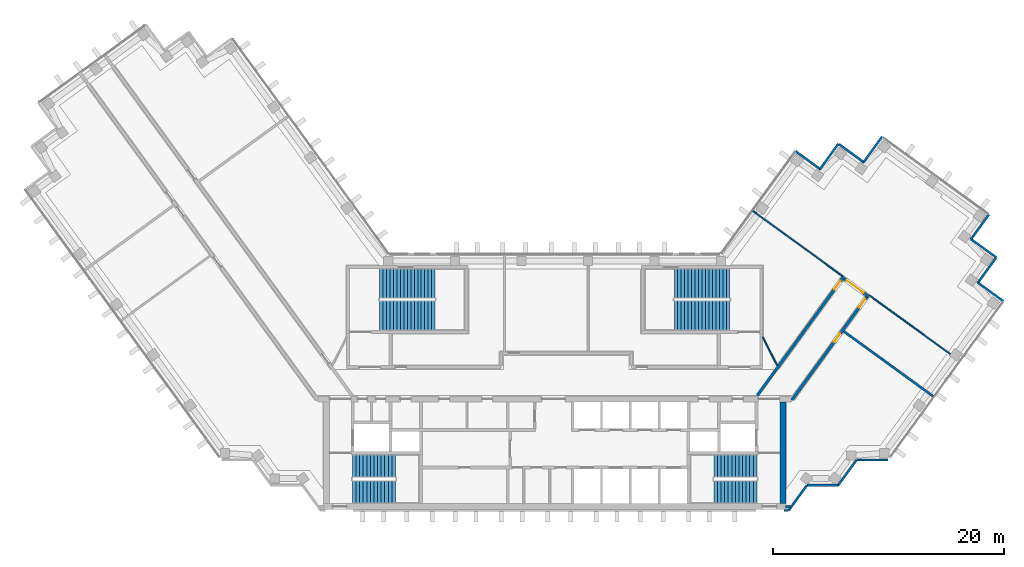
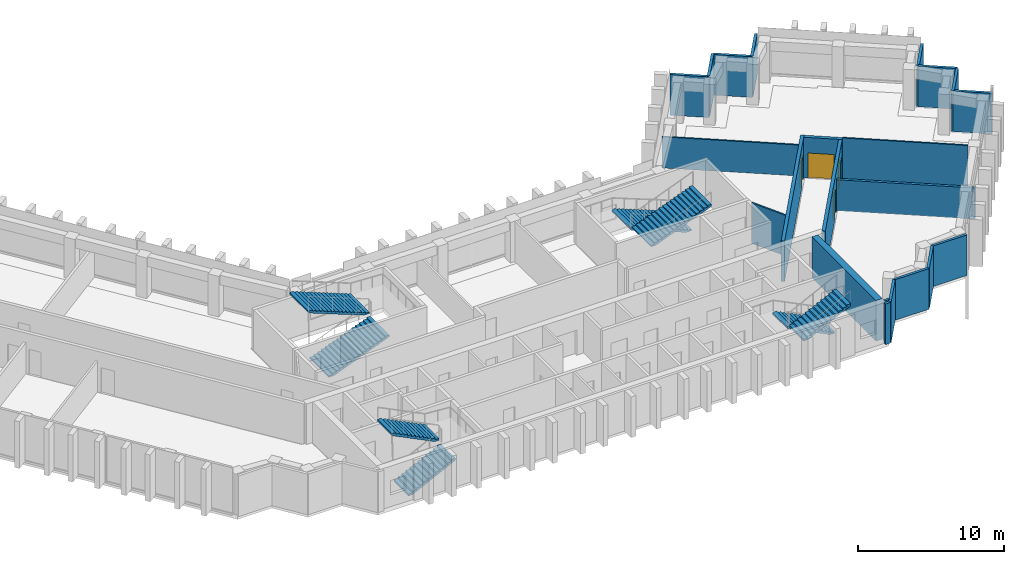
# One storey, part 7 of 9: 22 walls, 8 stair flights, 4 doors, 4 openings, 4 elements without a shape of their own.
"""IFC4 building model written with IfcOpenShell, lengths in metres."""

from ifc_helpers import new_model, si_unit, direction, frame, frame_2d, origin, place, context, subcontext, project, spatial, polyline, rectangle, outline, extrude, material, layer, layer_set, type_object, element, fill, aggregate, save


model = new_model("IFC4")

# Units and contexts
model_context = context("Model", 3, precision=1e-05, world=origin(), true_north=direction((0.0, 1.0)))
body_context = subcontext(model_context, "Body", "Model", "MODEL_VIEW")
ifc_project = project(units=[si_unit("LENGTHUNIT", "METRE"), si_unit("AREAUNIT", "SQUARE_METRE"), si_unit("VOLUMEUNIT", "CUBIC_METRE"), si_unit("PLANEANGLEUNIT", "RADIAN"), si_unit("MASSUNIT", "GRAM", prefix="KILO")], contexts=[model_context])

# Site, building, storey
site_placement = place(None, origin())
site = spatial("IfcSite", under=ifc_project, at=site_placement, CompositionType="ELEMENT")
building_placement = place(site_placement, origin())
building = spatial("IfcBuilding", under=site, at=building_placement, Name="Quipu Civic Tower", CompositionType="ELEMENT")
storey_placement = place(building_placement, frame((0.0, 0.0, 238.0)))
storey = spatial("IfcBuildingStorey", under=building, at=storey_placement, Name="L56", CompositionType="ELEMENT", Elevation=238.0)

# Walls
ifc_material_1 = material(Name="Fired clay blockwork", Category="masonry")
ifc_layer_1 = layer(ifc_material_1, 0.199951171875)
ifc_layer_set_1 = layer_set([ifc_layer_1], Name="Fired clay blockwork")
wall_type_1 = type_object("IfcWallType", Name="Blockwork wall 200", PredefinedType="SOLIDWALL", material=ifc_layer_set_1)
wall_1_placement = place(storey_placement, frame((32.734375, -1.18701171875, 0.0), z_axis=(0.0, 0.0, 1.0), x_axis=(-0.808994684961, 0.587815957341, 0.0)))
element("IfcWall", 1, at=wall_1_placement, inside=storey, type_object=wall_type_1, Name="Partition P08", PredefinedType="SOLIDWALL", context=body_context, shape_type="SweptSolid", body=[
    extrude(rectangle(XDim=9.55029296875, YDim=0.199951171875, at=frame_2d((4.775146484375, 0.0))), origin(), (0.0, 0.0, 1.0), 2.60009765625),
])
ifc_material_2 = material(Name="Concrete C70/85", Category="concrete")
ifc_layer_2 = layer(ifc_material_2, 0.5)
ifc_layer_set_2 = layer_set([ifc_layer_2], Name="Concrete C70/85")
wall_type_2 = type_object("IfcWallType", Name="Core wall 500", PredefinedType="SHEAR", material=ifc_layer_set_2)
wall_2_placement = place(storey_placement, frame((19.75, -10.5, 0.0), z_axis=(0.0, 0.0, 1.0), x_axis=(0.0, 1.0, 0.0)))
element("IfcWall", 2, at=wall_2_placement, inside=storey, type_object=wall_type_2, Name="Core wall", PredefinedType="SHEAR", context=body_context, shape_type="SweptSolid", body=[
    extrude(rectangle(XDim=8.800048828125, YDim=0.5, at=frame_2d((4.39990234375, 0.0))), origin(), (0.0, 0.0, 1.0), 3.39990234375),
])

# Wall, opening, door
ifc_material_3 = material(Name="Concrete C50/60", Category="concrete")
ifc_layer_3 = layer(ifc_material_3, 0.25)
ifc_layer_set_3 = layer_set([ifc_layer_3], Name="Concrete C50/60")
wall_type_3 = type_object("IfcWallType", Name="Corridor wall 250 concrete", PredefinedType="SOLIDWALL", material=ifc_layer_set_3)
wall_3_placement = place(storey_placement, frame((17.544921875, -1.124755859375, 0.0), z_axis=(0.0, 0.0, 1.0), x_axis=(0.587796810203, 0.809008596935, 0.0)))
wall_3 = element("IfcWall", 3, at=wall_3_placement, inside=storey, type_object=wall_type_3, Name="Corridor wall C02", PredefinedType="SOLIDWALL", context=body_context, shape_type="SweptSolid", body=[
    extrude(rectangle(XDim=12.703125, YDim=0.25, at=frame_2d((6.3515625, 0.0))), origin(), (0.0, 0.0, 1.0), 3.39990234375),
])
opening_1_placement = place(wall_3_placement, frame((11.32861328125, 0.0, 0.0)))
opening_1 = element("IfcOpeningElement", 4, at=opening_1_placement, cuts=wall_3, Name="Opening D001", PredefinedType="OPENING", context=body_context, shape_type="SweptSolid", body=[
    extrude(rectangle(XDim=0.89990234375, YDim=2.10009765625, at=frame_2d((0.449951171875, 1.050048828125))), frame((0.0, 0.135009765625, 0.0), z_axis=(0.0, -1.0, 0.0), x_axis=(1.0, 0.0, 0.0)), (0.0, 0.0, 1.0), 0.27001953125),
])
ifc_material_4 = material(Name="Fire rated timber door set with metal frame", Category="wood")
door_type_1 = type_object("IfcDoorType", Name="Single door 900 x 2100 FD60", OperationType="NOTDEFINED", PredefinedType="DOOR", material=ifc_material_4)
door_1_placement = place(opening_1_placement, origin())
door_1 = element("IfcDoor", 5, at=door_1_placement, inside=storey, type_object=door_type_1, Name="Door D001", OperationType="SINGLE_SWING_RIGHT", OverallHeight=2.10009765625, OverallWidth=0.89990234375, PredefinedType="DOOR", context=body_context, shape_type="SweptSolid", body=[
    extrude(rectangle(XDim=0.89990234375, YDim=2.10009765625, at=frame_2d((0.449951171875, 1.050048828125))), frame((0.0, 0.02490234375, 0.0), z_axis=(0.0, -1.0, 0.0), x_axis=(1.0, 0.0, 0.0)), (0.0, 0.0, 1.0), 0.050048828125),
])
fill(opening_1, door_1)

wall_4_placement = place(storey_placement, frame((25.039306640625, 8.9775390625, 0.0), z_axis=(0.0, 0.0, 1.0), x_axis=(0.809006914995, -0.587799125119, 0.0)))
wall_4 = element("IfcWall", 6, at=wall_4_placement, inside=storey, type_object=wall_type_3, Name="Corridor wall C03", PredefinedType="SOLIDWALL", context=body_context, shape_type="SweptSolid", body=[
    extrude(rectangle(XDim=2.64990234375, YDim=0.25, at=frame_2d((1.324951171875, 0.0))), origin(), (0.0, 0.0, 1.0), 3.39990234375),
])
opening_2_placement = place(wall_4_placement, frame((0.300537109375, 0.0, 0.0)))
opening_2 = element("IfcOpeningElement", 7, at=opening_2_placement, cuts=wall_4, Name="Opening D004", PredefinedType="OPENING", context=body_context, shape_type="SweptSolid", body=[
    extrude(rectangle(XDim=1.800048828125, YDim=2.10009765625, at=frame_2d((0.89990234375, 1.050048828125))), frame((0.0, 0.135009765625, 0.0), z_axis=(0.0, -1.0, 0.0), x_axis=(1.0, 0.0, 0.0)), (0.0, 0.0, 1.0), 0.27001953125),
])
ifc_material_5 = material(Name="Fire rated timber door set with metal frame", Category="wood")
door_type_2 = type_object("IfcDoorType", Name="Double door 1800 x 2100 FD60", OperationType="DOUBLE_DOOR_SINGLE_SWING", PredefinedType="DOOR", material=ifc_material_5)
door_2_placement = place(opening_2_placement, origin())
door_2 = element("IfcDoor", 8, at=door_2_placement, inside=storey, type_object=door_type_2, Name="Door D004", OperationType="DOUBLE_DOOR_SINGLE_SWING", OverallHeight=2.10009765625, OverallWidth=1.800048828125, PredefinedType="DOOR", context=body_context, shape_type="SweptSolid", body=[
    extrude(rectangle(XDim=1.800048828125, YDim=2.10009765625, at=frame_2d((0.89990234375, 1.050048828125))), frame((0.0, 0.02490234375, 0.0), z_axis=(0.0, -1.0, 0.0), x_axis=(1.0, 0.0, 0.0)), (0.0, 0.0, 1.0), 0.050048828125),
])
fill(opening_2, door_2)

# Wall, openings, doors
wall_5_placement = place(storey_placement, frame((27.008544921875, 7.392333984375, 0.0), z_axis=(0.0, 0.0, 1.0), x_axis=(-0.587776457057, -0.809023384414, 0.0)))
wall_5 = element("IfcWall", 9, at=wall_5_placement, inside=storey, type_object=wall_type_3, Name="Corridor wall C04", PredefinedType="SOLIDWALL", context=body_context, shape_type="SweptSolid", body=[
    extrude(rectangle(XDim=11.0205078125, YDim=0.25, at=frame_2d((5.51025390625, 0.0))), origin(), (0.0, 0.0, 1.0), 3.39990234375),
])
opening_3_placement = place(wall_5_placement, frame((3.904541015625, 0.0, 0.0)))
opening_3 = element("IfcOpeningElement", 10, at=opening_3_placement, cuts=wall_5, Name="Opening D002", PredefinedType="OPENING", context=body_context, shape_type="SweptSolid", body=[
    extrude(rectangle(XDim=0.89990234375, YDim=2.10009765625, at=frame_2d((0.449951171875, 1.050048828125))), frame((0.0, 0.135009765625, 0.0), z_axis=(0.0, -1.0, 0.0), x_axis=(1.0, 0.0, 0.0)), (0.0, 0.0, 1.0), 0.27001953125),
])
opening_4_placement = place(wall_5_placement, frame((0.224609375, 0.0, 0.0)))
opening_4 = element("IfcOpeningElement", 11, at=opening_4_placement, cuts=wall_5, Name="Opening D003", PredefinedType="OPENING", context=body_context, shape_type="SweptSolid", body=[
    extrude(rectangle(XDim=0.89990234375, YDim=2.10009765625, at=frame_2d((0.449951171875, 1.050048828125))), frame((0.0, 0.135009765625, 0.0), z_axis=(0.0, -1.0, 0.0), x_axis=(1.0, 0.0, 0.0)), (0.0, 0.0, 1.0), 0.27001953125),
])
door_3_placement = place(opening_3_placement, origin())
door_3 = element("IfcDoor", 12, at=door_3_placement, inside=storey, type_object=door_type_1, Name="Door D002", OperationType="SINGLE_SWING_LEFT", OverallHeight=2.10009765625, OverallWidth=0.89990234375, PredefinedType="DOOR", context=body_context, shape_type="SweptSolid", body=[
    extrude(rectangle(XDim=0.89990234375, YDim=2.10009765625, at=frame_2d((0.449951171875, 1.050048828125))), frame((0.0, 0.02490234375, 0.0), z_axis=(0.0, -1.0, 0.0), x_axis=(1.0, 0.0, 0.0)), (0.0, 0.0, 1.0), 0.050048828125),
])
fill(opening_3, door_3)
door_4_placement = place(opening_4_placement, origin())
door_4 = element("IfcDoor", 13, at=door_4_placement, inside=storey, type_object=door_type_1, Name="Door D003", OperationType="SINGLE_SWING_LEFT", OverallHeight=2.10009765625, OverallWidth=0.89990234375, PredefinedType="DOOR", context=body_context, shape_type="SweptSolid", body=[
    extrude(rectangle(XDim=0.89990234375, YDim=2.10009765625, at=frame_2d((0.449951171875, 1.050048828125))), frame((0.0, 0.02490234375, 0.0), z_axis=(0.0, -1.0, 0.0), x_axis=(1.0, 0.0, 0.0)), (0.0, 0.0, 1.0), 0.050048828125),
])
fill(opening_4, door_4)

# Walls
ifc_material_6 = material(Name="Gypsum plasterboard on light gauge framing")
ifc_layer_4 = layer(ifc_material_6, 0.1201171875)
ifc_layer_set_4 = layer_set([ifc_layer_4], Name="Gypsum plasterboard on light gauge framing")
wall_type_4 = type_object("IfcWallType", Name="Partition 120 plasterboard", PredefinedType="PARTITIONING", material=ifc_layer_set_4)
wall_6_placement = place(storey_placement, frame((24.89794921875, 9.20947265625, 0.0), z_axis=(0.0, 0.0, 1.0), x_axis=(-0.809013490065, 0.587790075531, 0.0)))
element("IfcWall", 14, at=wall_6_placement, inside=storey, type_object=wall_type_4, Name="Partition P01", PredefinedType="PARTITIONING", context=body_context, shape_type="SweptSolid", body=[
    extrude(rectangle(XDim=9.54931640625, YDim=0.1201171875, at=frame_2d((4.774658203125, 0.0))), origin(), (0.0, 0.0, 1.0), 2.60009765625),
])
wall_7_placement = place(storey_placement, frame((27.240478515625, 7.532470703125, 0.0), z_axis=(0.0, 0.0, 1.0), x_axis=(0.809033281668, -0.587762834103, 0.0)))
element("IfcWall", 15, at=wall_7_placement, inside=storey, type_object=wall_type_4, Name="Partition P07", PredefinedType="PARTITIONING", context=body_context, shape_type="SweptSolid", body=[
    extrude(rectangle(XDim=8.664794921875, YDim=0.1201171875, at=frame_2d((4.33251953125, 0.0))), origin(), (0.0, 0.0, 1.0), 3.39990234375),
])
wall_8_placement = place(storey_placement, frame((18.0, 3.925048828125, 0.0), z_axis=(0.0, 0.0, 1.0), x_axis=(0.453950796792, -0.891026752736, 0.0)))
element("IfcWall", 16, at=wall_8_placement, inside=storey, type_object=wall_type_4, Name="Partition P09", PredefinedType="PARTITIONING", context=body_context, shape_type="SweptSolid", body=[
    extrude(rectangle(XDim=2.77783203125, YDim=0.1201171875, at=frame_2d((1.388916015625, 0.0))), origin(), (0.0, 0.0, 1.0), 3.39990234375),
])
ifc_material_7 = material(Name="Precast concrete C40/50", Category="concrete")
wall_type_5 = type_object("IfcWallType", Name="Precast cladding wall", PredefinedType="SOLIDWALL", material=ifc_material_7)
wall_9_placement = place(storey_placement, frame((19.85009765625, -11.087890625, 0.0), z_axis=(0.0, 0.0, 1.0), x_axis=(1.0, 0.0, 0.0)))
element("IfcWall", 17, at=wall_9_placement, inside=storey, type_object=wall_type_5, Name="Precast cladding wall L56 P19", PredefinedType="SOLIDWALL", context=body_context, shape_type="SweptSolid", body=[
    extrude(rectangle(XDim=0.40576171875, YDim=0.199951171875, at=frame_2d((0.202880859375, 0.0))), origin(), (0.0, 0.0, 1.0), 3.39990234375),
])
wall_10_placement = place(storey_placement, frame((20.253173828125, -11.083251953125, 0.0), z_axis=(0.0, 0.0, 1.0), x_axis=(0.587766567315, 0.809030569476, 0.0)))
element("IfcWall", 18, at=wall_10_placement, inside=storey, type_object=wall_type_5, Name="Precast cladding wall L56 P20", PredefinedType="SOLIDWALL", context=body_context, shape_type="SweptSolid", body=[
    extrude(rectangle(XDim=2.687744140625, YDim=0.199951171875, at=frame_2d((1.34375, 0.0))), origin(), (0.0, 0.0, 1.0), 3.39990234375),
])
for number, where, z_axis, x_axis, name in (
    (19, (36.0048828125, 12.3515625, 0.0), (0.0, 0.0, 1.0), (0.587762999008, 0.809033161865, 0.0), "Precast cladding wall L56 P21"),
    (20, (28.333984375, 21.26220703125, 0.0), (0.0, 0.0, 1.0), (-0.587762999008, -0.809033161865, 0.0), "Precast cladding wall L56 P23"),
):
    element("IfcWall", number, at=place(storey_placement, frame(where, z_axis=z_axis, x_axis=x_axis)), inside=storey, type_object=wall_type_5, Name=name, PredefinedType="SOLIDWALL", context=body_context, shape_type="SweptSolid", body=[
        extrude(rectangle(XDim=2.699951171875, YDim=0.199951171875, at=frame_2d((1.35009765625, 0.0))), origin(), (0.0, 0.0, 1.0), 3.39990234375),
    ])
wall_11_placement = place(storey_placement, frame((26.78466796875, 19.03564453125, 0.0), z_axis=(0.0, 0.0, 1.0), x_axis=(-0.809064397168, 0.587720002413, 0.0)))
element("IfcWall", 21, at=wall_11_placement, inside=storey, type_object=wall_type_5, Name="Precast cladding wall L56 P24", PredefinedType="SOLIDWALL", context=body_context, shape_type="SweptSolid", body=[
    extrude(rectangle(XDim=2.7001953125, YDim=0.199951171875, at=frame_2d((1.35009765625, 0.0))), origin(), (0.0, 0.0, 1.0), 3.39990234375),
])
for number, where, z_axis, x_axis, name in (
    (22, (24.562744140625, 20.664794921875, 0.0), (0.0, 0.0, 1.0), (-0.587822180636, -0.808990163075, 0.0), "Precast cladding wall L56 P25"),
    (23, (23.01318359375, 18.438232421875, 0.0), (0.0, 0.0, 1.0), (-0.808990163075, 0.587822180636, 0.0), "Precast cladding wall L56 P26"),
    (24, (21.8427734375, -8.90380859375, 0.0), (0.0, 0.0, 1.0), (1.0, 0.0, 0.0), "Precast cladding wall L56 P33"),
):
    element("IfcWall", number, at=place(storey_placement, frame(where, z_axis=z_axis, x_axis=x_axis)), inside=storey, type_object=wall_type_5, Name=name, PredefinedType="SOLIDWALL", context=body_context, shape_type="SweptSolid", body=[
        extrude(rectangle(XDim=2.699951171875, YDim=0.199951171875, at=frame_2d((1.35009765625, 0.0))), origin(), (0.0, 0.0, 1.0), 3.39990234375),
    ])
wall_12_placement = place(storey_placement, frame((24.533203125, -8.90869140625, 0.0), z_axis=(0.0, 0.0, 1.0), x_axis=(0.587720002413, 0.809064397168, 0.0)))
element("IfcWall", 25, at=wall_12_placement, inside=storey, type_object=wall_type_5, Name="Precast cladding wall L56 P34", PredefinedType="SOLIDWALL", context=body_context, shape_type="SweptSolid", body=[
    extrude(rectangle(XDim=2.7001953125, YDim=0.199951171875, at=frame_2d((1.35009765625, 0.0))), origin(), (0.0, 0.0, 1.0), 3.39990234375),
])
for number, where, z_axis, x_axis, name in (
    (26, (26.1298828125, -6.71923828125, 0.0), (0.0, 0.0, 1.0), (1.0, 0.0, 0.0), "Precast cladding wall L56 P35"),
    (27, (38.82861328125, 7.031005859375, 0.0), (0.0, 0.0, 1.0), (-0.808990163075, 0.587822180636, 0.0), "Precast cladding wall L56 1"),
    (28, (36.60205078125, 8.580322265625, 0.0), (0.0, 0.0, 1.0), (0.587822180636, 0.808990163075, 0.0), "Precast cladding wall L56 2"),
    (29, (38.231201171875, 10.80224609375, 0.0), (0.0, 0.0, 1.0), (-0.808958916286, 0.58786518162, 0.0), "Precast cladding wall L56 3"),
):
    element("IfcWall", number, at=place(storey_placement, frame(where, z_axis=z_axis, x_axis=x_axis)), inside=storey, type_object=wall_type_5, Name=name, PredefinedType="SOLIDWALL", context=body_context, shape_type="SweptSolid", body=[
        extrude(rectangle(XDim=2.699951171875, YDim=0.199951171875, at=frame_2d((1.35009765625, 0.0))), origin(), (0.0, 0.0, 1.0), 3.39990234375),
    ])
wall_13_placement = place(storey_placement, frame((19.97998046875, -10.75, 0.0), z_axis=(0.0, 0.0, 1.0), x_axis=(1.0, 0.0, 0.0)))
element("IfcWall", 30, at=wall_13_placement, inside=storey, type_object=wall_type_5, Name="Precast cladding return L56 E", PredefinedType="SOLIDWALL", context=body_context, shape_type="SweptSolid", body=[
    extrude(rectangle(XDim=0.41650390625, YDim=0.199951171875, at=frame_2d((0.208251953125, 0.0))), origin(), (0.0, 0.0, 1.0), 3.39990234375),
])

# Stair, stair flights
ifc_material_8 = material(Name="Concrete C40/50", Category="concrete")
stair_type_1 = type_object("IfcStairType", Name="Half turn stair 2000", PredefinedType="HALF_TURN_STAIR", material=ifc_material_8)
stair_1_placement = place(storey_placement, origin())
stair_1 = element("IfcStair", 31, at=stair_1_placement, inside=storey, type_object=stair_type_1, Name="Exit stair 1", PredefinedType="HALF_TURN_STAIR")
ifc_material_9 = material(Name="Concrete C40/50", Category="concrete")
stair_flight_type_1 = type_object("IfcStairFlightType", Name="Stair flight 2000", PredefinedType="STRAIGHT", material=ifc_material_9)
stair_flight_1_placement = place(storey_placement, frame((-17.5, -9.5, 0.0), z_axis=(0.0, 0.0, 1.0), x_axis=(1.0, 0.0, 0.0)))
stair_flight_1 = element("IfcStairFlight", 32, at=stair_flight_1_placement, type_object=stair_flight_type_1, Name="ST-1 flight 1", NumberOfRisers=13, NumberOfTreads=12, PredefinedType="STRAIGHT", RiserHeight=0.153846154, TreadLength=0.31, context=body_context, shape_type="SweptSolid", body=[
    extrude(outline(polyline([(0.0, 0.0), (0.0, 0.15380859375), (0.31005859375, 0.15380859375), (0.31005859375, 0.3076171875), (0.6201171875, 0.3076171875), (0.6201171875, 0.46142578125), (0.929931640625, 0.46142578125), (0.929931640625, 0.615478515625), (1.239990234375, 0.615478515625), (1.239990234375, 0.769287109375), (1.550048828125, 0.769287109375), (1.550048828125, 0.923095703125), (1.860107421875, 0.923095703125), (1.860107421875, 1.076904296875), (2.169921875, 1.076904296875), (2.169921875, 1.230712890625), (2.47998046875, 1.230712890625), (2.47998046875, 1.384521484375), (2.7900390625, 1.384521484375), (2.7900390625, 1.53857421875), (3.10009765625, 1.53857421875), (3.10009765625, 1.6923828125), (3.409912109375, 1.6923828125), (3.409912109375, 1.84619140625), (3.719970703125, 1.84619140625), (3.719970703125, 2.0), (3.719970703125, 1.6787109375), (0.337158203125, 0.0), (0.0, 0.0)])), frame((0.0, 1.0, 0.0), z_axis=(0.0, -1.0, 0.0), x_axis=(1.0, 0.0, 0.0)), (0.0, 0.0, 1.0), 2.0),
])
stair_flight_2_placement = place(storey_placement, frame((-13.780029296875, -7.25, 2.0), z_axis=(0.0, 0.0, 1.0), x_axis=(-1.0, 0.0, 0.0)))
stair_flight_2 = element("IfcStairFlight", 33, at=stair_flight_2_placement, type_object=stair_flight_type_1, Name="ST-1 flight 2", NumberOfRisers=13, NumberOfTreads=12, PredefinedType="STRAIGHT", RiserHeight=0.153846154, TreadLength=0.31, context=body_context, shape_type="SweptSolid", body=[
    extrude(outline(polyline([(0.0, 0.0), (0.0, 0.15380859375), (0.31005859375, 0.15380859375), (0.31005859375, 0.3076171875), (0.6201171875, 0.3076171875), (0.6201171875, 0.46142578125), (0.929931640625, 0.46142578125), (0.929931640625, 0.615478515625), (1.239990234375, 0.615478515625), (1.239990234375, 0.769287109375), (1.550048828125, 0.769287109375), (1.550048828125, 0.923095703125), (1.860107421875, 0.923095703125), (1.860107421875, 1.076904296875), (2.169921875, 1.076904296875), (2.169921875, 1.230712890625), (2.47998046875, 1.230712890625), (2.47998046875, 1.384521484375), (2.7900390625, 1.384521484375), (2.7900390625, 1.53857421875), (3.10009765625, 1.53857421875), (3.10009765625, 1.6923828125), (3.409912109375, 1.6923828125), (3.409912109375, 1.84619140625), (3.719970703125, 1.84619140625), (3.719970703125, 2.0), (3.719970703125, 1.6787109375), (0.337158203125, 0.0), (0.0, 0.0)])), frame((0.0, 1.0, 0.0), z_axis=(0.0, -1.0, 0.0), x_axis=(1.0, 0.0, 0.0)), (0.0, 0.0, 1.0), 2.0),
])
aggregate(stair_1, [stair_flight_1, stair_flight_2])

stair_2_placement = place(storey_placement, origin())
stair_2 = element("IfcStair", 34, at=stair_2_placement, inside=storey, type_object=stair_type_1, Name="Exit stair 2", PredefinedType="HALF_TURN_STAIR")
stair_flight_3_placement = place(storey_placement, frame((17.5, -7.25, 0.0), z_axis=(0.0, 0.0, 1.0), x_axis=(-1.0, 0.0, 0.0)))
stair_flight_3 = element("IfcStairFlight", 35, at=stair_flight_3_placement, type_object=stair_flight_type_1, Name="ST-2 flight 1", NumberOfRisers=13, NumberOfTreads=12, PredefinedType="STRAIGHT", RiserHeight=0.153846154, TreadLength=0.31, context=body_context, shape_type="SweptSolid", body=[
    extrude(outline(polyline([(0.0, 0.0), (0.0, 0.15380859375), (0.31005859375, 0.15380859375), (0.31005859375, 0.3076171875), (0.6201171875, 0.3076171875), (0.6201171875, 0.46142578125), (0.929931640625, 0.46142578125), (0.929931640625, 0.615478515625), (1.239990234375, 0.615478515625), (1.239990234375, 0.769287109375), (1.550048828125, 0.769287109375), (1.550048828125, 0.923095703125), (1.860107421875, 0.923095703125), (1.860107421875, 1.076904296875), (2.169921875, 1.076904296875), (2.169921875, 1.230712890625), (2.47998046875, 1.230712890625), (2.47998046875, 1.384521484375), (2.7900390625, 1.384521484375), (2.7900390625, 1.53857421875), (3.10009765625, 1.53857421875), (3.10009765625, 1.6923828125), (3.409912109375, 1.6923828125), (3.409912109375, 1.84619140625), (3.719970703125, 1.84619140625), (3.719970703125, 2.0), (3.719970703125, 1.6787109375), (0.337158203125, 0.0), (0.0, 0.0)])), frame((0.0, 1.0, 0.0), z_axis=(0.0, -1.0, 0.0), x_axis=(1.0, 0.0, 0.0)), (0.0, 0.0, 1.0), 2.0),
])
stair_flight_4_placement = place(storey_placement, frame((13.780029296875, -9.5, 2.0), z_axis=(0.0, 0.0, 1.0), x_axis=(1.0, 0.0, 0.0)))
stair_flight_4 = element("IfcStairFlight", 36, at=stair_flight_4_placement, type_object=stair_flight_type_1, Name="ST-2 flight 2", NumberOfRisers=13, NumberOfTreads=12, PredefinedType="STRAIGHT", RiserHeight=0.153846154, TreadLength=0.31, context=body_context, shape_type="SweptSolid", body=[
    extrude(outline(polyline([(0.0, 0.0), (0.0, 0.15380859375), (0.31005859375, 0.15380859375), (0.31005859375, 0.3076171875), (0.6201171875, 0.3076171875), (0.6201171875, 0.46142578125), (0.929931640625, 0.46142578125), (0.929931640625, 0.615478515625), (1.239990234375, 0.615478515625), (1.239990234375, 0.769287109375), (1.550048828125, 0.769287109375), (1.550048828125, 0.923095703125), (1.860107421875, 0.923095703125), (1.860107421875, 1.076904296875), (2.169921875, 1.076904296875), (2.169921875, 1.230712890625), (2.47998046875, 1.230712890625), (2.47998046875, 1.384521484375), (2.7900390625, 1.384521484375), (2.7900390625, 1.53857421875), (3.10009765625, 1.53857421875), (3.10009765625, 1.6923828125), (3.409912109375, 1.6923828125), (3.409912109375, 1.84619140625), (3.719970703125, 1.84619140625), (3.719970703125, 2.0), (3.719970703125, 1.6787109375), (0.337158203125, 0.0), (0.0, 0.0)])), frame((0.0, 1.0, 0.0), z_axis=(0.0, -1.0, 0.0), x_axis=(1.0, 0.0, 0.0)), (0.0, 0.0, 1.0), 2.0),
])
aggregate(stair_2, [stair_flight_3, stair_flight_4])

ifc_material_10 = material(Name="Concrete C40/50", Category="concrete")
stair_type_2 = type_object("IfcStairType", Name="Half turn stair 2600", PredefinedType="HALF_TURN_STAIR", material=ifc_material_10)
stair_3_placement = place(storey_placement, origin())
stair_3 = element("IfcStair", 37, at=stair_3_placement, inside=storey, type_object=stair_type_2, Name="Exit stair 3", PredefinedType="HALF_TURN_STAIR")
ifc_material_11 = material(Name="Concrete C40/50", Category="concrete")
stair_flight_type_2 = type_object("IfcStairFlightType", Name="Stair flight 2600", PredefinedType="STRAIGHT", material=ifc_material_11)
stair_flight_5_placement = place(storey_placement, frame((-15.14990234375, 5.800048828125, 0.0), z_axis=(0.0, 0.0, 1.0), x_axis=(1.0, 0.0, 0.0)))
stair_flight_5 = element("IfcStairFlight", 38, at=stair_flight_5_placement, type_object=stair_flight_type_2, Name="ST-3 flight 1", NumberOfRisers=17, NumberOfTreads=16, PredefinedType="STRAIGHT", RiserHeight=0.117647059, TreadLength=0.3, context=body_context, shape_type="SweptSolid", body=[
    extrude(outline(polyline([(0.0, 0.0), (0.0, 0.11767578125), (0.300048828125, 0.11767578125), (0.300048828125, 0.2353515625), (0.60009765625, 0.2353515625), (0.60009765625, 0.35302734375), (0.89990234375, 0.35302734375), (0.89990234375, 0.470703125), (1.199951171875, 0.470703125), (1.199951171875, 0.588134765625), (1.5, 0.588134765625), (1.5, 0.705810546875), (1.800048828125, 0.705810546875), (1.800048828125, 0.823486328125), (2.10009765625, 0.823486328125), (2.10009765625, 0.941162109375), (2.39990234375, 0.941162109375), (2.39990234375, 1.058837890625), (2.699951171875, 1.058837890625), (2.699951171875, 1.176513671875), (3.0, 1.176513671875), (3.0, 1.294189453125), (3.300048828125, 1.294189453125), (3.300048828125, 1.411865234375), (3.60009765625, 1.411865234375), (3.60009765625, 1.529296875), (3.89990234375, 1.529296875), (3.89990234375, 1.64697265625), (4.199951171875, 1.64697265625), (4.199951171875, 1.7646484375), (4.5, 1.7646484375), (4.5, 1.88232421875), (4.800048828125, 1.88232421875), (4.800048828125, 2.0), (4.800048828125, 1.721435546875), (0.41064453125, 0.0), (0.0, 0.0)])), frame((0.0, 1.300048828125, 0.0), z_axis=(0.0, -1.0, 0.0), x_axis=(1.0, 0.0, 0.0)), (0.0, 0.0, 1.0), 2.60009765625),
])
stair_flight_6_placement = place(storey_placement, frame((-10.35009765625, 8.550048828125, 2.0), z_axis=(0.0, 0.0, 1.0), x_axis=(-1.0, 0.0, 0.0)))
stair_flight_6 = element("IfcStairFlight", 39, at=stair_flight_6_placement, type_object=stair_flight_type_2, Name="ST-3 flight 2", NumberOfRisers=17, NumberOfTreads=16, PredefinedType="STRAIGHT", RiserHeight=0.117647059, TreadLength=0.3, context=body_context, shape_type="SweptSolid", body=[
    extrude(outline(polyline([(0.0, 0.0), (0.0, 0.11767578125), (0.300048828125, 0.11767578125), (0.300048828125, 0.2353515625), (0.60009765625, 0.2353515625), (0.60009765625, 0.35302734375), (0.89990234375, 0.35302734375), (0.89990234375, 0.470703125), (1.199951171875, 0.470703125), (1.199951171875, 0.588134765625), (1.5, 0.588134765625), (1.5, 0.705810546875), (1.800048828125, 0.705810546875), (1.800048828125, 0.823486328125), (2.10009765625, 0.823486328125), (2.10009765625, 0.941162109375), (2.39990234375, 0.941162109375), (2.39990234375, 1.058837890625), (2.699951171875, 1.058837890625), (2.699951171875, 1.176513671875), (3.0, 1.176513671875), (3.0, 1.294189453125), (3.300048828125, 1.294189453125), (3.300048828125, 1.411865234375), (3.60009765625, 1.411865234375), (3.60009765625, 1.529296875), (3.89990234375, 1.529296875), (3.89990234375, 1.64697265625), (4.199951171875, 1.64697265625), (4.199951171875, 1.7646484375), (4.5, 1.7646484375), (4.5, 1.88232421875), (4.800048828125, 1.88232421875), (4.800048828125, 2.0), (4.800048828125, 1.721435546875), (0.41064453125, 0.0), (0.0, 0.0)])), frame((0.0, 1.300048828125, 0.0), z_axis=(0.0, -1.0, 0.0), x_axis=(1.0, 0.0, 0.0)), (0.0, 0.0, 1.0), 2.60009765625),
])
aggregate(stair_3, [stair_flight_5, stair_flight_6])

stair_4_placement = place(storey_placement, origin())
stair_4 = element("IfcStair", 40, at=stair_4_placement, inside=storey, type_object=stair_type_2, Name="Exit stair 4", PredefinedType="HALF_TURN_STAIR")
stair_flight_7_placement = place(storey_placement, frame((15.14990234375, 8.550048828125, 0.0), z_axis=(0.0, 0.0, 1.0), x_axis=(-1.0, 0.0, 0.0)))
stair_flight_7 = element("IfcStairFlight", 41, at=stair_flight_7_placement, type_object=stair_flight_type_2, Name="ST-4 flight 1", NumberOfRisers=17, NumberOfTreads=16, PredefinedType="STRAIGHT", RiserHeight=0.117647059, TreadLength=0.3, context=body_context, shape_type="SweptSolid", body=[
    extrude(outline(polyline([(0.0, 0.0), (0.0, 0.11767578125), (0.300048828125, 0.11767578125), (0.300048828125, 0.2353515625), (0.60009765625, 0.2353515625), (0.60009765625, 0.35302734375), (0.89990234375, 0.35302734375), (0.89990234375, 0.470703125), (1.199951171875, 0.470703125), (1.199951171875, 0.588134765625), (1.5, 0.588134765625), (1.5, 0.705810546875), (1.800048828125, 0.705810546875), (1.800048828125, 0.823486328125), (2.10009765625, 0.823486328125), (2.10009765625, 0.941162109375), (2.39990234375, 0.941162109375), (2.39990234375, 1.058837890625), (2.699951171875, 1.058837890625), (2.699951171875, 1.176513671875), (3.0, 1.176513671875), (3.0, 1.294189453125), (3.300048828125, 1.294189453125), (3.300048828125, 1.411865234375), (3.60009765625, 1.411865234375), (3.60009765625, 1.529296875), (3.89990234375, 1.529296875), (3.89990234375, 1.64697265625), (4.199951171875, 1.64697265625), (4.199951171875, 1.7646484375), (4.5, 1.7646484375), (4.5, 1.88232421875), (4.800048828125, 1.88232421875), (4.800048828125, 2.0), (4.800048828125, 1.721435546875), (0.41064453125, 0.0), (0.0, 0.0)])), frame((0.0, 1.300048828125, 0.0), z_axis=(0.0, -1.0, 0.0), x_axis=(1.0, 0.0, 0.0)), (0.0, 0.0, 1.0), 2.60009765625),
])
stair_flight_8_placement = place(storey_placement, frame((10.35009765625, 5.800048828125, 2.0), z_axis=(0.0, 0.0, 1.0), x_axis=(1.0, 0.0, 0.0)))
stair_flight_8 = element("IfcStairFlight", 42, at=stair_flight_8_placement, type_object=stair_flight_type_2, Name="ST-4 flight 2", NumberOfRisers=17, NumberOfTreads=16, PredefinedType="STRAIGHT", RiserHeight=0.117647059, TreadLength=0.3, context=body_context, shape_type="SweptSolid", body=[
    extrude(outline(polyline([(0.0, 0.0), (0.0, 0.11767578125), (0.300048828125, 0.11767578125), (0.300048828125, 0.2353515625), (0.60009765625, 0.2353515625), (0.60009765625, 0.35302734375), (0.89990234375, 0.35302734375), (0.89990234375, 0.470703125), (1.199951171875, 0.470703125), (1.199951171875, 0.588134765625), (1.5, 0.588134765625), (1.5, 0.705810546875), (1.800048828125, 0.705810546875), (1.800048828125, 0.823486328125), (2.10009765625, 0.823486328125), (2.10009765625, 0.941162109375), (2.39990234375, 0.941162109375), (2.39990234375, 1.058837890625), (2.699951171875, 1.058837890625), (2.699951171875, 1.176513671875), (3.0, 1.176513671875), (3.0, 1.294189453125), (3.300048828125, 1.294189453125), (3.300048828125, 1.411865234375), (3.60009765625, 1.411865234375), (3.60009765625, 1.529296875), (3.89990234375, 1.529296875), (3.89990234375, 1.64697265625), (4.199951171875, 1.64697265625), (4.199951171875, 1.7646484375), (4.5, 1.7646484375), (4.5, 1.88232421875), (4.800048828125, 1.88232421875), (4.800048828125, 2.0), (4.800048828125, 1.721435546875), (0.41064453125, 0.0), (0.0, 0.0)])), frame((0.0, 1.300048828125, 0.0), z_axis=(0.0, -1.0, 0.0), x_axis=(1.0, 0.0, 0.0)), (0.0, 0.0, 1.0), 2.60009765625),
])
aggregate(stair_4, [stair_flight_7, stair_flight_8])

save(model, "model.ifc")
